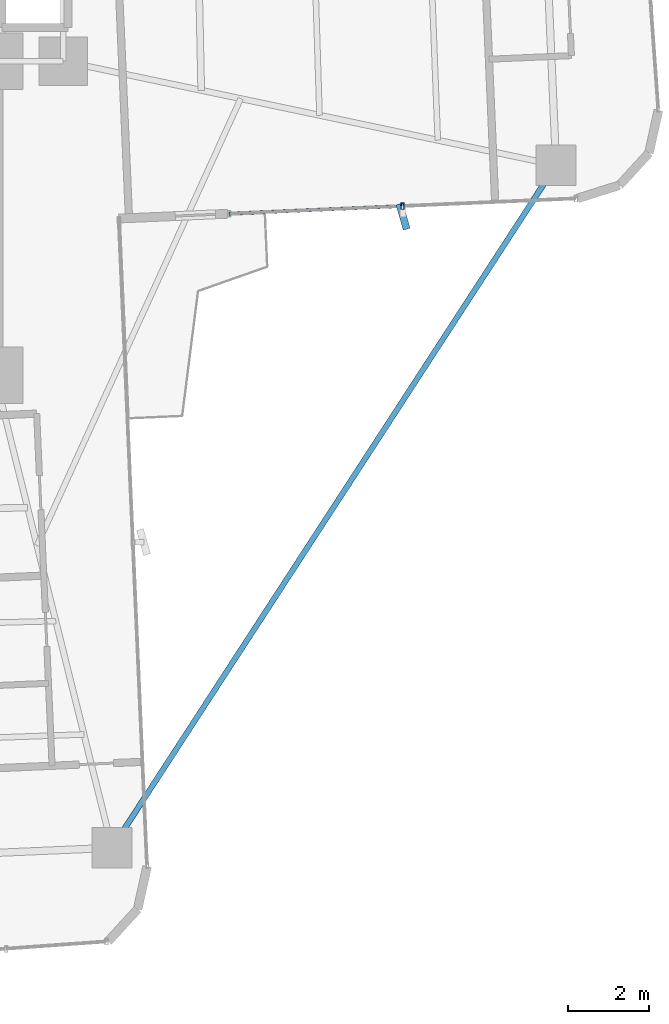
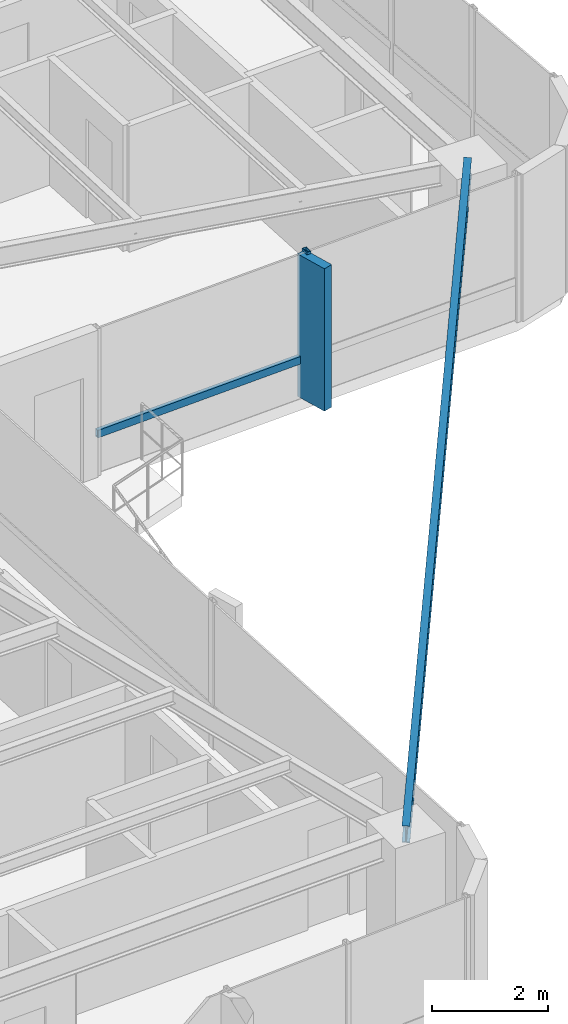
# One storey, part 14 of 27: 3 members, 1 beam, 1 element without a shape of its own.
"""IFC4 building model written with IfcOpenShell, lengths in metres."""

from ifc_helpers import new_model, si_unit, direction, frame, origin, origin_2d, place, context, subcontext, project, spatial, rectangle, hollow_rectangle, i_section, extrude, source, transform, mapped, material, material_profile, profile_set, type_object, element, aggregate, save


model = new_model("IFC4")

# Units and contexts
model_context = context("Model", 3, precision=1e-05, world=origin(), true_north=direction((0.0, 1.0)))
body_context = subcontext(model_context, "Body", "Model", "MODEL_VIEW")
ifc_project = project(units=[si_unit("LENGTHUNIT", "METRE"), si_unit("AREAUNIT", "SQUARE_METRE"), si_unit("VOLUMEUNIT", "CUBIC_METRE"), si_unit("PLANEANGLEUNIT", "RADIAN"), si_unit("MASSUNIT", "GRAM", prefix="KILO")], contexts=[model_context])

# Site, building, storey
site_placement = place(None, origin())
site = spatial("IfcSite", under=ifc_project, at=site_placement, CompositionType="ELEMENT")
building_placement = place(site_placement, origin())
building = spatial("IfcBuilding", under=site, at=building_placement, Name="Sahyath Konkavel Grand Hotel", CompositionType="ELEMENT")
storey_placement = place(building_placement, frame((0.0, 0.0, 90.199951171875)))
storey = spatial("IfcBuildingStorey", under=building, at=storey_placement, Name="L24", CompositionType="ELEMENT", Elevation=90.199951171875)

# Beam
ifc_material_1 = material(Name="Steel E350", Category="steel")
ifc_material_profile_1 = material_profile(ifc_material_1, i_section(OverallWidth=0.139892578125, OverallDepth=0.35009765625, WebThickness=0.008056640625, FlangeThickness=0.01416015625, FilletRadius=0.013916015625, at=origin_2d()), Name="ISMB 350")
ifc_profile_set_1 = profile_set([ifc_material_profile_1], Name="Steel E350")
beam_type = type_object("IfcBeamType", Name="BM-ISMB350", PredefinedType="BEAM", material=ifc_profile_set_1)
shared_shape_1 = source(origin(), body_context, "Body", "SweptSolid", [
    extrude(i_section(OverallWidth=0.139892578125, OverallDepth=0.35009765625, WebThickness=0.008056640625, FlangeThickness=0.01416015625, FilletRadius=0.013916015625, at=origin_2d()), origin(), (0.0, 0.0, 1.0), 20.21533203125),
])
beam_placement = place(storey_placement, frame((17.734130859375, -4.981201171875, 2.93505859375), z_axis=(-0.545191244931, -0.838311700056, 0.0), x_axis=(0.838311700056, -0.545191244931, 0.0)))
element("IfcBeam", 1, at=beam_placement, inside=storey, type_object=beam_type, Name="L24 Re-Entrant Tie Beam SE", PredefinedType="BEAM", context=body_context, shape_type="MappedRepresentation", body=[
    mapped(shared_shape_1, transform((0.0, 0.0, 0.0), scale=1.0)),
])

# Curtain wall, members
ifc_material_2 = material(Name="Anodised Bronze Aluminium & Low-E Glazing", Category="aluminium")
curtain_wall_type = type_object("IfcCurtainWallType", Name="CW-ZONE2", PredefinedType="NOTDEFINED", material=ifc_material_2)
curtain_wall_placement = place(storey_placement, origin())
curtain_wall = element("IfcCurtainWall", 2, at=curtain_wall_placement, inside=storey, type_object=curtain_wall_type, Name="L24 Unitised Curtain Wall F0", PredefinedType="NOTDEFINED")
ifc_material_3 = material(Name="Warm Buff Sandstone Cladding on Concrete C50/60", Category="masonry")
ifc_material_profile_2 = material_profile(ifc_material_3, rectangle(XDim=0.179931640625, YDim=0.64990234375, at=origin_2d()), Name="FIN 180x650")
ifc_profile_set_2 = profile_set([ifc_material_profile_2], Name="Warm Buff Sandstone Cladding on Concrete C50/60")
member_type_1 = type_object("IfcMemberType", Name="FIN-SANDSTONE-650", PredefinedType="MULLION", material=ifc_profile_set_2)
shared_shape_2 = source(origin(), body_context, "Body", "SweptSolid", [
    extrude(rectangle(XDim=0.179931640625, YDim=0.64990234375, at=origin_2d()), origin(), (0.0, 0.0, 1.0), 3.010009765625),
])
member_1_placement = place(storey_placement, frame((13.936279296875, -6.258056640625, 0.050048828125), z_axis=(0.0, 0.0, 1.0), x_axis=(0.961693479997, 0.274127070043, 0.0)))
member_1 = element("IfcMember", 3, at=member_1_placement, type_object=member_type_1, Name="L24 Sandstone Vertical Solar Fin FIN F0-1", PredefinedType="MULLION", context=body_context, shape_type="MappedRepresentation", body=[
    mapped(shared_shape_2, transform((0.0, 0.0, 0.0), scale=1.0)),
])
ifc_material_4 = material(Name="Anodised Bronze Aluminium", Category="aluminium")
ifc_material_profile_3 = material_profile(ifc_material_4, hollow_rectangle(XDim=0.080078125, YDim=0.159912109375, WallThickness=0.006103515625, at=origin_2d()), Name="RHS 160x80x6")
ifc_profile_set_3 = profile_set([ifc_material_profile_3], Name="Anodised Bronze Aluminium")
member_type_2 = type_object("IfcMemberType", Name="CW-MUL-160", PredefinedType="MULLION", material=ifc_profile_set_3)
shared_shape_3 = source(origin(), body_context, "Body", "SweptSolid", [
    extrude(hollow_rectangle(XDim=0.080078125, YDim=0.159912109375, WallThickness=0.006103515625, at=origin_2d()), origin(), (0.0, 0.0, 1.0), 3.110107421875),
])
member_2_placement = place(storey_placement, frame((13.9248046875, -5.998291015625, 0.0), z_axis=(0.0, 0.0, 1.0), x_axis=(1.0, 0.0, 0.0)))
member_2 = element("IfcMember", 4, at=member_2_placement, type_object=member_type_2, Name="L24 Curtain Wall Mullion F0-1", PredefinedType="MULLION", context=body_context, shape_type="MappedRepresentation", body=[
    mapped(shared_shape_3, transform((0.0, 0.0, 0.0), scale=1.0)),
])
ifc_material_profile_4 = material_profile(ifc_material_4, hollow_rectangle(XDim=0.080078125, YDim=0.159912109375, WallThickness=0.006103515625, at=origin_2d()), Name="RHS 160x80x6")
ifc_profile_set_4 = profile_set([ifc_material_profile_4], Name="Anodised Bronze Aluminium")
member_type_3 = type_object("IfcMemberType", Name="CW-TRN-160", PredefinedType="USERDEFINED", material=ifc_profile_set_4)
shared_shape_4 = source(origin(), body_context, "Body", "SweptSolid", [
    extrude(hollow_rectangle(XDim=0.080078125, YDim=0.159912109375, WallThickness=0.006103515625, at=origin_2d()), origin(), (0.0, 0.0, 1.0), 4.31005859375),
])
member_3_placement = place(storey_placement, frame((9.618896484375, -6.186279296875, 0.85009765625), z_axis=(0.999048340188, 0.043616670746, 0.0), x_axis=(-0.043616670746, 0.999048340188, 0.0)))
member_3 = element("IfcMember", 5, at=member_3_placement, type_object=member_type_3, Name="L24 Curtain Wall Transom F0-0-spandrel", ObjectType="TRANSOM", PredefinedType="USERDEFINED", context=body_context, shape_type="MappedRepresentation", body=[
    mapped(shared_shape_4, transform((0.0, 0.0, 0.0), scale=1.0)),
])
aggregate(curtain_wall, [member_2, member_1, member_3])

save(model, "model.ifc")
